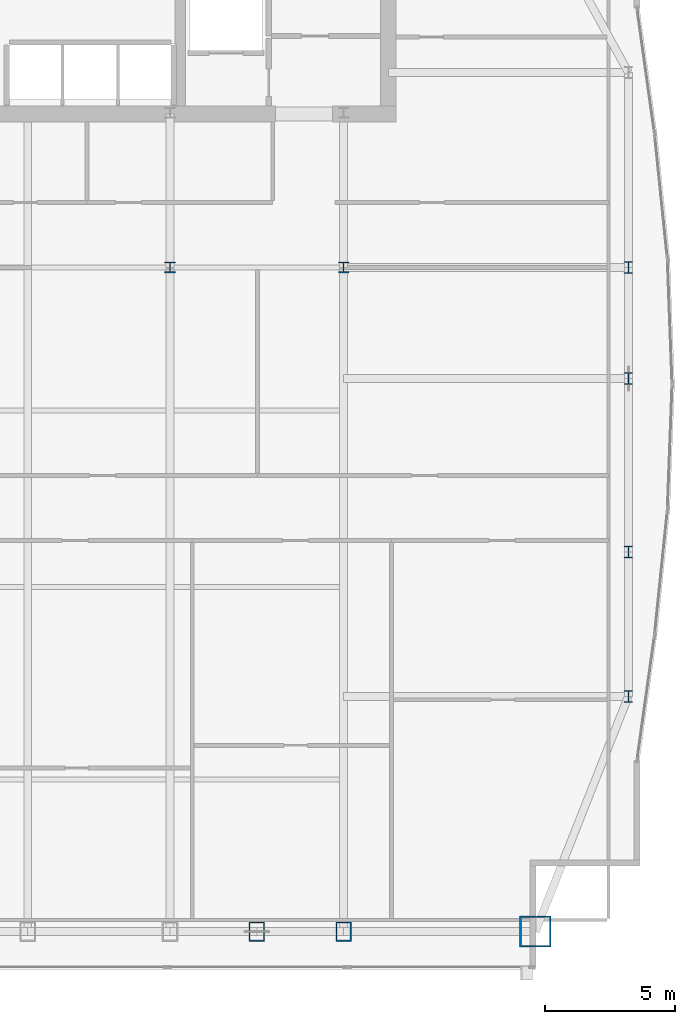
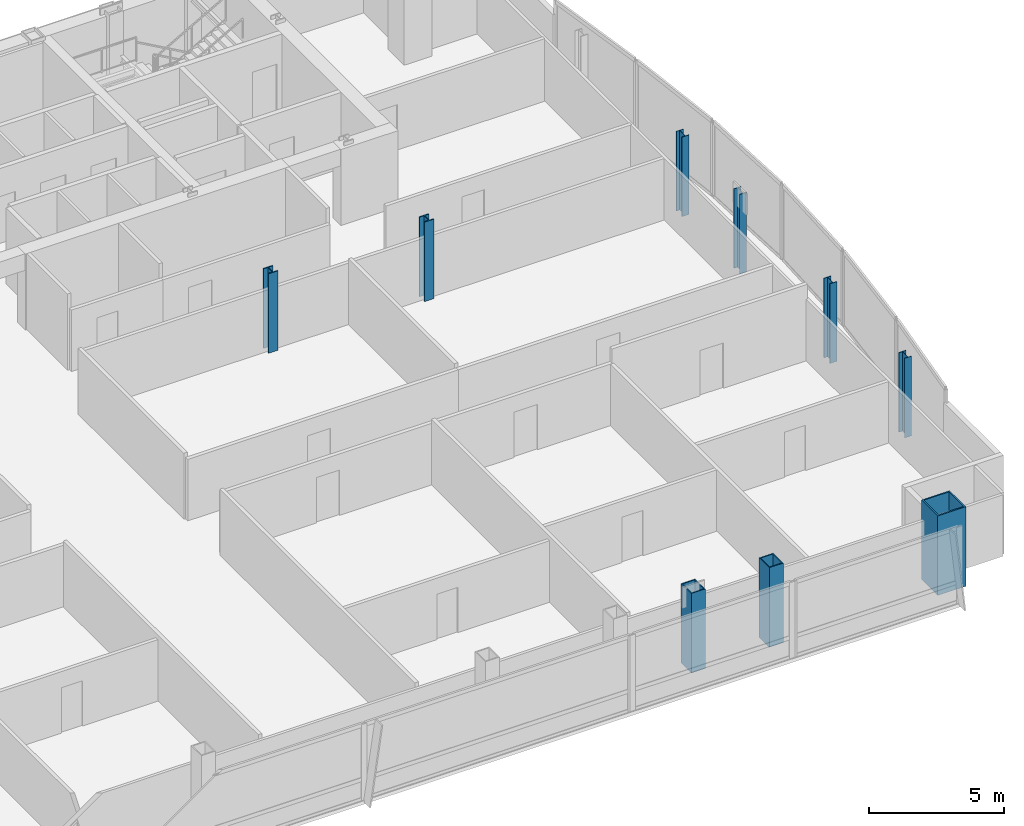
# One storey, part 2 of 32: 9 columns.
"""IFC4 building model written with IfcOpenShell, lengths in metres."""

from ifc_helpers import new_model, si_unit, direction, frame, origin, origin_2d, place, context, subcontext, project, spatial, hollow_rectangle, i_section, extrude, material, material_profile, profile_set, type_object, element, save


model = new_model("IFC4")

# Units and contexts
model_context = context("Model", 3, precision=1e-05, world=origin(), true_north=direction((0.0, 1.0)))
body_context = subcontext(model_context, "Body", "Model", "MODEL_VIEW")
ifc_project = project(units=[si_unit("LENGTHUNIT", "METRE"), si_unit("AREAUNIT", "SQUARE_METRE"), si_unit("VOLUMEUNIT", "CUBIC_METRE"), si_unit("PLANEANGLEUNIT", "RADIAN"), si_unit("MASSUNIT", "GRAM", prefix="KILO")], contexts=[model_context])

# Site, building, storey
site_placement = place(None, origin())
site = spatial("IfcSite", under=ifc_project, at=site_placement, CompositionType="ELEMENT")
building_placement = place(site_placement, origin())
building = spatial("IfcBuilding", under=site, at=building_placement, Name="Khoronbel Lancet Exchange", CompositionType="ELEMENT")
storey_placement = place(building_placement, frame((0.0, 0.0, 228.199951171875)))
storey = spatial("IfcBuildingStorey", under=building, at=storey_placement, Name="L58", CompositionType="ELEMENT", Elevation=228.199951171875)

# Columns
ifc_material_1 = material(Name="Steel S460", Category="steel")
ifc_material_profile_1 = material_profile(ifc_material_1, hollow_rectangle(XDim=0.60009765625, YDim=0.75, WallThickness=0.044921875, at=origin_2d()), Name="BOX 750x600x45")
ifc_profile_set_1 = profile_set([ifc_material_profile_1], Name="Steel S460")
column_type_1 = type_object("IfcColumnType", Name="COL-EC3", PredefinedType="COLUMN", material=ifc_profile_set_1)
for number, where, z_axis, x_axis, name in (
    (1, (51.33740234375, 10.14990234375, 0.0), (0.0, 0.0, 1.0), (1.0, 0.0, 0.0), "Structural column SC-EM L58"),
    (2, (54.675048828125, 10.14990234375, 0.0), (0.0, 0.0, 1.0), (1.0, 0.0, 0.0), "Structural column SC-E2 L58"),
):
    element("IfcColumn", number, at=place(storey_placement, frame(where, z_axis=z_axis, x_axis=x_axis)), inside=storey, type_object=column_type_1, Name=name, PredefinedType="COLUMN", context=body_context, shape_type="SweptSolid", body=[
        extrude(hollow_rectangle(XDim=0.60009765625, YDim=0.75, WallThickness=0.044921875, at=origin_2d()), origin(), (0.0, 0.0, 1.0), 3.60009765625),
    ])
ifc_material_2 = material(Name="Steel S355", Category="steel")
ifc_material_profile_2 = material_profile(ifc_material_2, i_section(OverallWidth=0.406005859375, OverallDepth=0.416015625, WebThickness=0.02978515625, FlangeThickness=0.048095703125, at=origin_2d()), Name="HD 400x382")
ifc_profile_set_2 = profile_set([ifc_material_profile_2], Name="Steel S355")
column_type_2 = type_object("IfcColumnType", Name="COL-IC3", PredefinedType="COLUMN", material=ifc_profile_set_2)
for number, where, z_axis, x_axis, name in (
    (3, (48.0, 35.699951171875, 0.0), (0.0, 0.0, 1.0), (1.0, 0.0, 0.0), "Spine gravity column TC3 L58"),
    (4, (54.675048828125, 35.699951171875, 0.0), (0.0, 0.0, 1.0), (1.0, 0.0, 0.0), "Spine gravity column TC4 L58"),
):
    element("IfcColumn", number, at=place(storey_placement, frame(where, z_axis=z_axis, x_axis=x_axis)), inside=storey, type_object=column_type_2, Name=name, PredefinedType="COLUMN", context=body_context, shape_type="SweptSolid", body=[
        extrude(i_section(OverallWidth=0.406005859375, OverallDepth=0.416015625, WebThickness=0.02978515625, FlangeThickness=0.048095703125, at=origin_2d()), origin(), (0.0, 0.0, 1.0), 3.60009765625),
    ])
ifc_material_profile_3 = material_profile(ifc_material_2, i_section(OverallWidth=0.300048828125, OverallDepth=0.449951171875, WebThickness=0.013916015625, FlangeThickness=0.02587890625, at=origin_2d()), Name="HEB 450")
ifc_profile_set_3 = profile_set([ifc_material_profile_3], Name="Steel S355")
column_type_3 = type_object("IfcColumnType", Name="COL-LC2", PredefinedType="COLUMN", material=ifc_profile_set_3)
for number, where, z_axis, x_axis, name in (
    (5, (65.6298828125, 19.199951171875, 0.0), (0.0, 0.0, 1.0), (1.0, 0.0, 0.0), "Structural column EC-1 L58"),
    (6, (65.6298828125, 24.75, 0.0), (0.0, 0.0, 1.0), (1.0, 0.0, 0.0), "Structural column EC-2 L58"),
    (7, (65.6298828125, 31.425048828125, 0.0), (0.0, 0.0, 1.0), (1.0, 0.0, 0.0), "Structural column EC-M L58"),
    (8, (65.6298828125, 35.699951171875, 0.0), (0.0, 0.0, 1.0), (1.0, 0.0, 0.0), "Structural column EC-3 L58"),
):
    element("IfcColumn", number, at=place(storey_placement, frame(where, z_axis=z_axis, x_axis=x_axis)), inside=storey, type_object=column_type_3, Name=name, PredefinedType="COLUMN", context=body_context, shape_type="SweptSolid", body=[
        extrude(i_section(OverallWidth=0.300048828125, OverallDepth=0.449951171875, WebThickness=0.013916015625, FlangeThickness=0.02587890625, at=origin_2d()), origin(), (0.0, 0.0, 1.0), 3.60009765625),
    ])
ifc_material_profile_4 = material_profile(ifc_material_1, hollow_rectangle(XDim=1.199951171875, YDim=1.199951171875, WallThickness=0.06005859375, at=origin_2d()), Name="BOX 1200x1200x60")
ifc_profile_set_4 = profile_set([ifc_material_profile_4], Name="Steel S460")
column_type_4 = type_object("IfcColumnType", Name="COL-MC5", PredefinedType="COLUMN", material=ifc_profile_set_4)
column_placement = place(storey_placement, frame((62.050048828125, 10.14990234375, 0.0), z_axis=(0.0, 0.0, 1.0), x_axis=(1.0, 0.0, 0.0)))
element("IfcColumn", 9, at=column_placement, inside=storey, type_object=column_type_4, Name="Structural column MC-SE L58", PredefinedType="COLUMN", context=body_context, shape_type="SweptSolid", body=[
    extrude(hollow_rectangle(XDim=1.199951171875, YDim=1.199951171875, WallThickness=0.06005859375, at=origin_2d()), origin(), (0.0, 0.0, 1.0), 3.60009765625),
])

save(model, "model.ifc")
